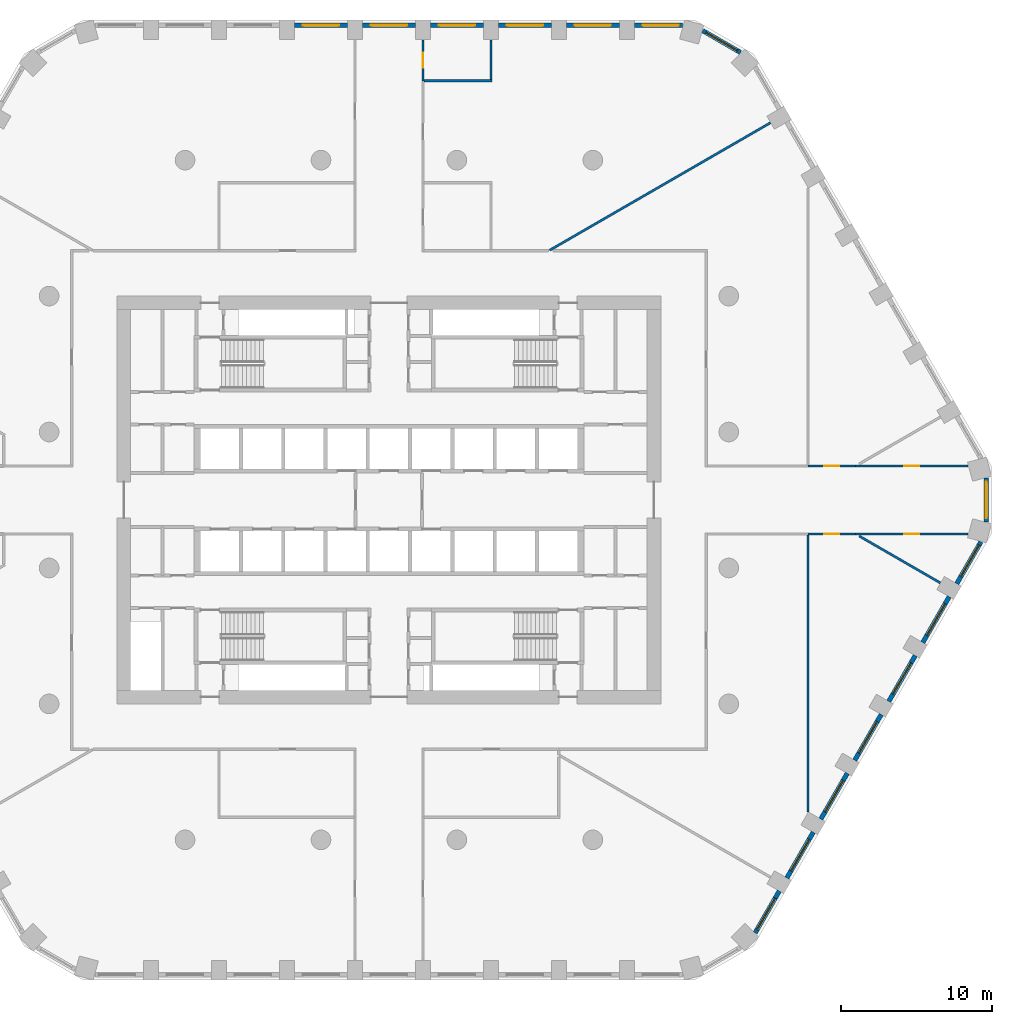
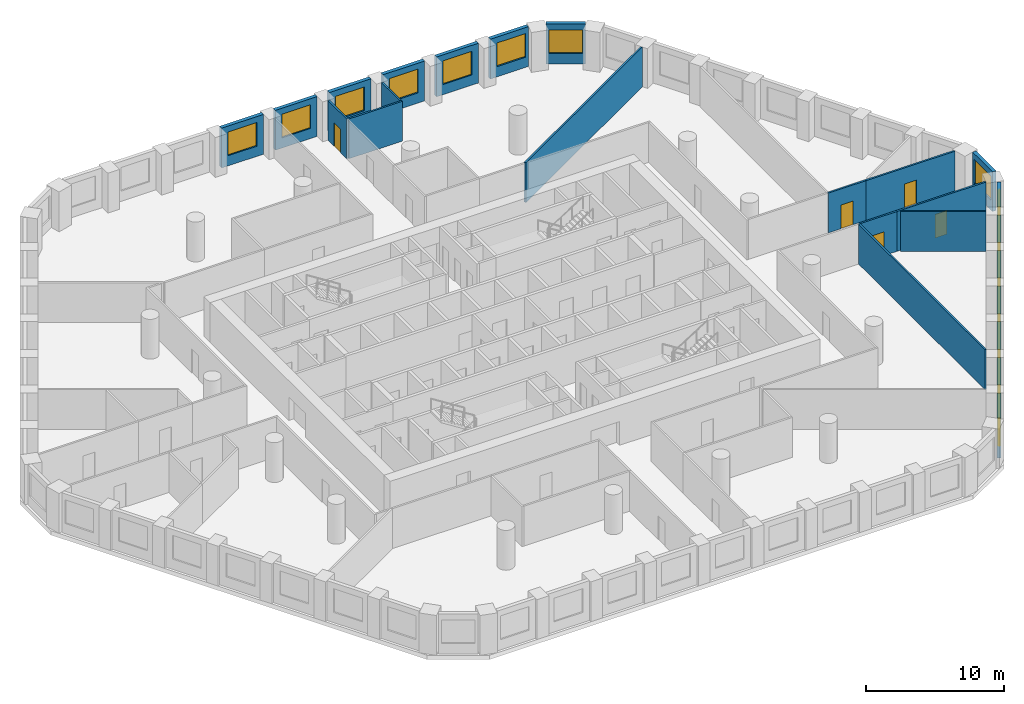
# One storey, part 8 of 10: 25 walls, 15 windows, 5 doors, 20 openings.
"""IFC4 building model written with IfcOpenShell, lengths in metres."""

from ifc_helpers import new_model, si_unit, direction, frame, frame_2d, origin, place, context, subcontext, project, spatial, rectangle, extrude, material, layer, layer_set, type_object, element, fill, save


model = new_model("IFC4")

# Units and contexts
model_context = context("Model", 3, precision=1e-05, world=origin(), true_north=direction((0.0, 1.0)))
body_context = subcontext(model_context, "Body", "Model", "MODEL_VIEW")
ifc_project = project(units=[si_unit("LENGTHUNIT", "METRE"), si_unit("AREAUNIT", "SQUARE_METRE"), si_unit("VOLUMEUNIT", "CUBIC_METRE"), si_unit("PLANEANGLEUNIT", "RADIAN"), si_unit("MASSUNIT", "GRAM", prefix="KILO")], contexts=[model_context])

# Site, building, storey
site_placement = place(None, origin())
site = spatial("IfcSite", under=ifc_project, at=site_placement, CompositionType="ELEMENT")
building_placement = place(site_placement, origin())
building = spatial("IfcBuilding", under=site, at=building_placement, Name="Dhurran Vertical Campus", CompositionType="ELEMENT")
storey_placement = place(building_placement, frame((0.0, 0.0, 112.5)))
storey = spatial("IfcBuildingStorey", under=building, at=storey_placement, Name="L27", CompositionType="ELEMENT", Elevation=112.5)

# Wall, opening, window
ifc_material_1 = material(Name="Precast concrete C50/60", Category="concrete")
ifc_layer_1 = layer(ifc_material_1, 0.300048828125)
ifc_layer_set_1 = layer_set([ifc_layer_1], Name="Precast concrete C50/60")
wall_type_1 = type_object("IfcWallType", Name="Precast spandrel wall 300", PredefinedType="SOLIDWALL", material=ifc_layer_set_1)
wall_1_placement = place(storey_placement, frame((24.24755859375, -28.65576171875, 0.0), z_axis=(0.0, 0.0, 1.0), x_axis=(0.500004907028, 0.866022570692, 0.0)))
wall_1 = element("IfcWall", 1, at=wall_1_placement, inside=storey, type_object=wall_type_1, Name="EW1 L27.10", PredefinedType="SOLIDWALL", context=body_context, shape_type="SweptSolid", body=[
    extrude(rectangle(XDim=3.1923828125, YDim=0.300048828125, at=frame_2d((1.59619140625, 0.0))), origin(), (0.0, 0.0, 1.0), 3.52490234375),
])
opening_1_placement = place(wall_1_placement, frame((0.242919921875, 0.0, 0.89990234375)))
opening_1 = element("IfcOpeningElement", 2, at=opening_1_placement, cuts=wall_1, Name="Opening WT1", PredefinedType="OPENING", context=body_context, shape_type="SweptSolid", body=[
    extrude(rectangle(XDim=2.39990234375, YDim=2.10009765625, at=frame_2d((1.199951171875, 1.050048828125))), frame((0.0, 0.159912109375, 0.0), z_axis=(0.0, -1.0, 0.0), x_axis=(1.0, 0.0, 0.0)), (0.0, 0.0, 1.0), 0.320068359375),
])
ifc_material_2 = material(Name="Aluminium frame with solar-control glass", Category="aluminium")
window_type = type_object("IfcWindowType", Name="Punched window 2400 x 2100", PartitioningType="SINGLE_PANEL", PredefinedType="WINDOW", material=ifc_material_2)
window_1_placement = place(opening_1_placement, origin())
window_1 = element("IfcWindow", 3, at=window_1_placement, inside=storey, type_object=window_type, Name="WT1 L27.10", OverallHeight=2.10009765625, OverallWidth=2.39990234375, PartitioningType="SINGLE_PANEL", PredefinedType="WINDOW", context=body_context, shape_type="SweptSolid", body=[
    extrude(rectangle(XDim=2.39990234375, YDim=2.10009765625, at=frame_2d((1.199951171875, 1.050048828125))), frame((0.0, 0.030029296875, 0.0), z_axis=(0.0, -1.0, 0.0), x_axis=(1.0, 0.0, 0.0)), (0.0, 0.0, 1.0), 0.06005859375),
])
fill(opening_1, window_1)

wall_2_placement = place(storey_placement, frame((26.34423828125, -25.024169921875, 0.0), z_axis=(0.0, 0.0, 1.0), x_axis=(0.499996256241, 0.866027565234, 0.0)))
wall_2 = element("IfcWall", 4, at=wall_2_placement, inside=storey, type_object=wall_type_1, Name="EW1 L27.11", PredefinedType="SOLIDWALL", context=body_context, shape_type="SweptSolid", body=[
    extrude(rectangle(XDim=3.4990234375, YDim=0.300048828125, at=frame_2d((1.74951171875, 0.0))), origin(), (0.0, 0.0, 1.0), 3.52490234375),
])
opening_2_placement = place(wall_2_placement, frame((0.549560546875, 0.0, 0.89990234375)))
opening_2 = element("IfcOpeningElement", 5, at=opening_2_placement, cuts=wall_2, Name="Opening WT1", PredefinedType="OPENING", context=body_context, shape_type="SweptSolid", body=[
    extrude(rectangle(XDim=2.39990234375, YDim=2.10009765625, at=frame_2d((1.199951171875, 1.050048828125))), frame((0.0, 0.159912109375, 0.0), z_axis=(0.0, -1.0, 0.0), x_axis=(1.0, 0.0, 0.0)), (0.0, 0.0, 1.0), 0.320068359375),
])
window_2_placement = place(opening_2_placement, origin())
window_2 = element("IfcWindow", 6, at=window_2_placement, inside=storey, type_object=window_type, Name="WT1 L27.11", OverallHeight=2.10009765625, OverallWidth=2.39990234375, PartitioningType="SINGLE_PANEL", PredefinedType="WINDOW", context=body_context, shape_type="SweptSolid", body=[
    extrude(rectangle(XDim=2.39990234375, YDim=2.10009765625, at=frame_2d((1.199951171875, 1.050048828125))), frame((0.0, 0.030029296875, 0.0), z_axis=(0.0, -1.0, 0.0), x_axis=(1.0, 0.0, 0.0)), (0.0, 0.0, 1.0), 0.06005859375),
])
fill(opening_2, window_2)

wall_3_placement = place(storey_placement, frame((28.59423828125, -21.127197265625, 0.0), z_axis=(0.0, 0.0, 1.0), x_axis=(0.499996256241, 0.866027565234, 0.0)))
wall_3 = element("IfcWall", 7, at=wall_3_placement, inside=storey, type_object=wall_type_1, Name="EW1 L27.12", PredefinedType="SOLIDWALL", context=body_context, shape_type="SweptSolid", body=[
    extrude(rectangle(XDim=3.4990234375, YDim=0.300048828125, at=frame_2d((1.74951171875, 0.0))), origin(), (0.0, 0.0, 1.0), 3.52490234375),
])
opening_3_placement = place(wall_3_placement, frame((0.549560546875, 0.0, 0.89990234375)))
opening_3 = element("IfcOpeningElement", 8, at=opening_3_placement, cuts=wall_3, Name="Opening WT1", PredefinedType="OPENING", context=body_context, shape_type="SweptSolid", body=[
    extrude(rectangle(XDim=2.39990234375, YDim=2.10009765625, at=frame_2d((1.199951171875, 1.050048828125))), frame((0.0, 0.159912109375, 0.0), z_axis=(0.0, -1.0, 0.0), x_axis=(1.0, 0.0, 0.0)), (0.0, 0.0, 1.0), 0.320068359375),
])
window_3_placement = place(opening_3_placement, origin())
window_3 = element("IfcWindow", 9, at=window_3_placement, inside=storey, type_object=window_type, Name="WT1 L27.12", OverallHeight=2.10009765625, OverallWidth=2.39990234375, PartitioningType="SINGLE_PANEL", PredefinedType="WINDOW", context=body_context, shape_type="SweptSolid", body=[
    extrude(rectangle(XDim=2.39990234375, YDim=2.10009765625, at=frame_2d((1.199951171875, 1.050048828125))), frame((0.0, 0.030029296875, 0.0), z_axis=(0.0, -1.0, 0.0), x_axis=(1.0, 0.0, 0.0)), (0.0, 0.0, 1.0), 0.06005859375),
])
fill(opening_3, window_3)

wall_4_placement = place(storey_placement, frame((30.84423828125, -17.22998046875, 0.0), z_axis=(0.0, 0.0, 1.0), x_axis=(0.499996256241, 0.866027565234, 0.0)))
wall_4 = element("IfcWall", 10, at=wall_4_placement, inside=storey, type_object=wall_type_1, Name="EW1 L27.13", PredefinedType="SOLIDWALL", context=body_context, shape_type="SweptSolid", body=[
    extrude(rectangle(XDim=3.4990234375, YDim=0.300048828125, at=frame_2d((1.74951171875, 0.0))), origin(), (0.0, 0.0, 1.0), 3.52490234375),
])
opening_4_placement = place(wall_4_placement, frame((0.549560546875, 0.0, 0.89990234375)))
opening_4 = element("IfcOpeningElement", 11, at=opening_4_placement, cuts=wall_4, Name="Opening WT1", PredefinedType="OPENING", context=body_context, shape_type="SweptSolid", body=[
    extrude(rectangle(XDim=2.39990234375, YDim=2.10009765625, at=frame_2d((1.199951171875, 1.050048828125))), frame((0.0, 0.159912109375, 0.0), z_axis=(0.0, -1.0, 0.0), x_axis=(1.0, 0.0, 0.0)), (0.0, 0.0, 1.0), 0.320068359375),
])
window_4_placement = place(opening_4_placement, origin())
window_4 = element("IfcWindow", 12, at=window_4_placement, inside=storey, type_object=window_type, Name="WT1 L27.13", OverallHeight=2.10009765625, OverallWidth=2.39990234375, PartitioningType="SINGLE_PANEL", PredefinedType="WINDOW", context=body_context, shape_type="SweptSolid", body=[
    extrude(rectangle(XDim=2.39990234375, YDim=2.10009765625, at=frame_2d((1.199951171875, 1.050048828125))), frame((0.0, 0.030029296875, 0.0), z_axis=(0.0, -1.0, 0.0), x_axis=(1.0, 0.0, 0.0)), (0.0, 0.0, 1.0), 0.06005859375),
])
fill(opening_4, window_4)

wall_5_placement = place(storey_placement, frame((33.09423828125, -13.3330078125, 0.0), z_axis=(0.0, 0.0, 1.0), x_axis=(0.499996256241, 0.866027565234, 0.0)))
wall_5 = element("IfcWall", 13, at=wall_5_placement, inside=storey, type_object=wall_type_1, Name="EW1 L27.14", PredefinedType="SOLIDWALL", context=body_context, shape_type="SweptSolid", body=[
    extrude(rectangle(XDim=3.4990234375, YDim=0.300048828125, at=frame_2d((1.74951171875, 0.0))), origin(), (0.0, 0.0, 1.0), 3.52490234375),
])
opening_5_placement = place(wall_5_placement, frame((0.549560546875, 0.0, 0.89990234375)))
opening_5 = element("IfcOpeningElement", 14, at=opening_5_placement, cuts=wall_5, Name="Opening WT1", PredefinedType="OPENING", context=body_context, shape_type="SweptSolid", body=[
    extrude(rectangle(XDim=2.39990234375, YDim=2.10009765625, at=frame_2d((1.199951171875, 1.050048828125))), frame((0.0, 0.159912109375, 0.0), z_axis=(0.0, -1.0, 0.0), x_axis=(1.0, 0.0, 0.0)), (0.0, 0.0, 1.0), 0.320068359375),
])
window_5_placement = place(opening_5_placement, origin())
window_5 = element("IfcWindow", 15, at=window_5_placement, inside=storey, type_object=window_type, Name="WT1 L27.14", OverallHeight=2.10009765625, OverallWidth=2.39990234375, PartitioningType="SINGLE_PANEL", PredefinedType="WINDOW", context=body_context, shape_type="SweptSolid", body=[
    extrude(rectangle(XDim=2.39990234375, YDim=2.10009765625, at=frame_2d((1.199951171875, 1.050048828125))), frame((0.0, 0.030029296875, 0.0), z_axis=(0.0, -1.0, 0.0), x_axis=(1.0, 0.0, 0.0)), (0.0, 0.0, 1.0), 0.06005859375),
])
fill(opening_5, window_5)

wall_6_placement = place(storey_placement, frame((35.34423828125, -9.435791015625, 0.0), z_axis=(0.0, 0.0, 1.0), x_axis=(0.499996256241, 0.866027565234, 0.0)))
wall_6 = element("IfcWall", 16, at=wall_6_placement, inside=storey, type_object=wall_type_1, Name="EW1 L27.15", PredefinedType="SOLIDWALL", context=body_context, shape_type="SweptSolid", body=[
    extrude(rectangle(XDim=3.4990234375, YDim=0.300048828125, at=frame_2d((1.74951171875, 0.0))), origin(), (0.0, 0.0, 1.0), 3.52490234375),
])
opening_6_placement = place(wall_6_placement, frame((0.549560546875, 0.0, 0.89990234375)))
opening_6 = element("IfcOpeningElement", 17, at=opening_6_placement, cuts=wall_6, Name="Opening WT1", PredefinedType="OPENING", context=body_context, shape_type="SweptSolid", body=[
    extrude(rectangle(XDim=2.39990234375, YDim=2.10009765625, at=frame_2d((1.199951171875, 1.050048828125))), frame((0.0, 0.159912109375, 0.0), z_axis=(0.0, -1.0, 0.0), x_axis=(1.0, 0.0, 0.0)), (0.0, 0.0, 1.0), 0.320068359375),
])
window_6_placement = place(opening_6_placement, origin())
window_6 = element("IfcWindow", 18, at=window_6_placement, inside=storey, type_object=window_type, Name="WT1 L27.15", OverallHeight=2.10009765625, OverallWidth=2.39990234375, PartitioningType="SINGLE_PANEL", PredefinedType="WINDOW", context=body_context, shape_type="SweptSolid", body=[
    extrude(rectangle(XDim=2.39990234375, YDim=2.10009765625, at=frame_2d((1.199951171875, 1.050048828125))), frame((0.0, 0.030029296875, 0.0), z_axis=(0.0, -1.0, 0.0), x_axis=(1.0, 0.0, 0.0)), (0.0, 0.0, 1.0), 0.06005859375),
])
fill(opening_6, window_6)

wall_7_placement = place(storey_placement, frame((37.59423828125, -5.538818359375, 0.0), z_axis=(0.0, 0.0, 1.0), x_axis=(0.500004907028, 0.866022570692, 0.0)))
wall_7 = element("IfcWall", 19, at=wall_7_placement, inside=storey, type_object=wall_type_1, Name="EW1 L27.16", PredefinedType="SOLIDWALL", context=body_context, shape_type="SweptSolid", body=[
    extrude(rectangle(XDim=3.1923828125, YDim=0.300048828125, at=frame_2d((1.59619140625, 0.0))), origin(), (0.0, 0.0, 1.0), 3.52490234375),
])
opening_7_placement = place(wall_7_placement, frame((0.549560546875, 0.0, 0.89990234375)))
opening_7 = element("IfcOpeningElement", 20, at=opening_7_placement, cuts=wall_7, Name="Opening WT1", PredefinedType="OPENING", context=body_context, shape_type="SweptSolid", body=[
    extrude(rectangle(XDim=2.39990234375, YDim=2.10009765625, at=frame_2d((1.199951171875, 1.050048828125))), frame((0.0, 0.159912109375, 0.0), z_axis=(0.0, -1.0, 0.0), x_axis=(1.0, 0.0, 0.0)), (0.0, 0.0, 1.0), 0.320068359375),
])
window_7_placement = place(opening_7_placement, origin())
window_7 = element("IfcWindow", 21, at=window_7_placement, inside=storey, type_object=window_type, Name="WT1 L27.16", OverallHeight=2.10009765625, OverallWidth=2.39990234375, PartitioningType="SINGLE_PANEL", PredefinedType="WINDOW", context=body_context, shape_type="SweptSolid", body=[
    extrude(rectangle(XDim=2.39990234375, YDim=2.10009765625, at=frame_2d((1.199951171875, 1.050048828125))), frame((0.0, 0.030029296875, 0.0), z_axis=(0.0, -1.0, 0.0), x_axis=(1.0, 0.0, 0.0)), (0.0, 0.0, 1.0), 0.06005859375),
])
fill(opening_7, window_7)

wall_8_placement = place(storey_placement, frame((39.547119140625, -1.44287109375, 0.0), z_axis=(0.0, 0.0, 1.0), x_axis=(0.0, 1.0, 0.0)))
wall_8 = element("IfcWall", 22, at=wall_8_placement, inside=storey, type_object=wall_type_1, Name="EW1 L27.17", PredefinedType="SOLIDWALL", context=body_context, shape_type="SweptSolid", body=[
    extrude(rectangle(XDim=2.8857421875, YDim=0.300048828125, at=frame_2d((1.44287109375, 0.0))), origin(), (0.0, 0.0, 1.0), 3.52490234375),
])
opening_8_placement = place(wall_8_placement, frame((0.242919921875, 0.0, 0.89990234375)))
opening_8 = element("IfcOpeningElement", 23, at=opening_8_placement, cuts=wall_8, Name="Opening WT1", PredefinedType="OPENING", context=body_context, shape_type="SweptSolid", body=[
    extrude(rectangle(XDim=2.39990234375, YDim=2.10009765625, at=frame_2d((1.199951171875, 1.050048828125))), frame((0.0, 0.159912109375, 0.0), z_axis=(0.0, -1.0, 0.0), x_axis=(1.0, 0.0, 0.0)), (0.0, 0.0, 1.0), 0.320068359375),
])
window_8_placement = place(opening_8_placement, origin())
window_8 = element("IfcWindow", 24, at=window_8_placement, inside=storey, type_object=window_type, Name="WT1 L27.17", OverallHeight=2.10009765625, OverallWidth=2.39990234375, PartitioningType="SINGLE_PANEL", PredefinedType="WINDOW", context=body_context, shape_type="SweptSolid", body=[
    extrude(rectangle(XDim=2.39990234375, YDim=2.10009765625, at=frame_2d((1.199951171875, 1.050048828125))), frame((0.0, 0.030029296875, 0.0), z_axis=(0.0, -1.0, 0.0), x_axis=(1.0, 0.0, 0.0)), (0.0, 0.0, 1.0), 0.06005859375),
])
fill(opening_8, window_8)

wall_9_placement = place(storey_placement, frame((23.273193359375, 29.63037109375, 0.0), z_axis=(0.0, 0.0, 1.0), x_axis=(-0.866053149362, 0.49995194017, 0.0)))
wall_9 = element("IfcWall", 25, at=wall_9_placement, inside=storey, type_object=wall_type_1, Name="EW1 L27.25", PredefinedType="SOLIDWALL", context=body_context, shape_type="SweptSolid", body=[
    extrude(rectangle(XDim=2.885498046875, YDim=0.300048828125, at=frame_2d((1.44287109375, 0.0))), origin(), (0.0, 0.0, 1.0), 3.52490234375),
])
opening_9_placement = place(wall_9_placement, frame((0.242919921875, 0.0, 0.89990234375)))
opening_9 = element("IfcOpeningElement", 26, at=opening_9_placement, cuts=wall_9, Name="Opening WT1", PredefinedType="OPENING", context=body_context, shape_type="SweptSolid", body=[
    extrude(rectangle(XDim=2.39990234375, YDim=2.10009765625, at=frame_2d((1.199951171875, 1.050048828125))), frame((0.0, 0.159912109375, 0.0), z_axis=(0.0, -1.0, 0.0), x_axis=(1.0, 0.0, 0.0)), (0.0, 0.0, 1.0), 0.320068359375),
])
window_9_placement = place(opening_9_placement, origin())
window_9 = element("IfcWindow", 27, at=window_9_placement, inside=storey, type_object=window_type, Name="WT1 L27.25", OverallHeight=2.10009765625, OverallWidth=2.39990234375, PartitioningType="SINGLE_PANEL", PredefinedType="WINDOW", context=body_context, shape_type="SweptSolid", body=[
    extrude(rectangle(XDim=2.39990234375, YDim=2.10009765625, at=frame_2d((1.199951171875, 1.050048828125))), frame((0.0, 0.030029296875, 0.0), z_axis=(0.0, -1.0, 0.0), x_axis=(1.0, 0.0, 0.0)), (0.0, 0.0, 1.0), 0.06005859375),
])
fill(opening_9, window_9)

wall_10_placement = place(storey_placement, frame((19.44287109375, 31.4296875, 0.0), z_axis=(0.0, 0.0, 1.0), x_axis=(-1.0, 0.0, 0.0)))
wall_10 = element("IfcWall", 28, at=wall_10_placement, inside=storey, type_object=wall_type_1, Name="EW1 L27.26", PredefinedType="SOLIDWALL", context=body_context, shape_type="SweptSolid", body=[
    extrude(rectangle(XDim=3.1923828125, YDim=0.300048828125, at=frame_2d((1.59619140625, 0.0))), origin(), (0.0, 0.0, 1.0), 3.52490234375),
])
opening_10_placement = place(wall_10_placement, frame((0.242919921875, 0.0, 0.89990234375)))
opening_10 = element("IfcOpeningElement", 29, at=opening_10_placement, cuts=wall_10, Name="Opening WT1", PredefinedType="OPENING", context=body_context, shape_type="SweptSolid", body=[
    extrude(rectangle(XDim=2.39990234375, YDim=2.10009765625, at=frame_2d((1.199951171875, 1.050048828125))), frame((0.0, 0.159912109375, 0.0), z_axis=(0.0, -1.0, 0.0), x_axis=(1.0, 0.0, 0.0)), (0.0, 0.0, 1.0), 0.320068359375),
])
window_10_placement = place(opening_10_placement, origin())
window_10 = element("IfcWindow", 30, at=window_10_placement, inside=storey, type_object=window_type, Name="WT1 L27.26", OverallHeight=2.10009765625, OverallWidth=2.39990234375, PartitioningType="SINGLE_PANEL", PredefinedType="WINDOW", context=body_context, shape_type="SweptSolid", body=[
    extrude(rectangle(XDim=2.39990234375, YDim=2.10009765625, at=frame_2d((1.199951171875, 1.050048828125))), frame((0.0, 0.030029296875, 0.0), z_axis=(0.0, -1.0, 0.0), x_axis=(1.0, 0.0, 0.0)), (0.0, 0.0, 1.0), 0.06005859375),
])
fill(opening_10, window_10)

wall_11_placement = place(storey_placement, frame((15.24951171875, 31.4296875, 0.0), z_axis=(0.0, 0.0, 1.0), x_axis=(-1.0, 0.0, 0.0)))
wall_11 = element("IfcWall", 31, at=wall_11_placement, inside=storey, type_object=wall_type_1, Name="EW1 L27.27", PredefinedType="SOLIDWALL", context=body_context, shape_type="SweptSolid", body=[
    extrude(rectangle(XDim=3.4990234375, YDim=0.300048828125, at=frame_2d((1.74951171875, 0.0))), origin(), (0.0, 0.0, 1.0), 3.52490234375),
])
opening_11_placement = place(wall_11_placement, frame((0.549560546875, 0.0, 0.89990234375)))
opening_11 = element("IfcOpeningElement", 32, at=opening_11_placement, cuts=wall_11, Name="Opening WT1", PredefinedType="OPENING", context=body_context, shape_type="SweptSolid", body=[
    extrude(rectangle(XDim=2.39990234375, YDim=2.10009765625, at=frame_2d((1.199951171875, 1.050048828125))), frame((0.0, 0.159912109375, 0.0), z_axis=(0.0, -1.0, 0.0), x_axis=(1.0, 0.0, 0.0)), (0.0, 0.0, 1.0), 0.320068359375),
])
window_11_placement = place(opening_11_placement, origin())
window_11 = element("IfcWindow", 33, at=window_11_placement, inside=storey, type_object=window_type, Name="WT1 L27.27", OverallHeight=2.10009765625, OverallWidth=2.39990234375, PartitioningType="SINGLE_PANEL", PredefinedType="WINDOW", context=body_context, shape_type="SweptSolid", body=[
    extrude(rectangle(XDim=2.39990234375, YDim=2.10009765625, at=frame_2d((1.199951171875, 1.050048828125))), frame((0.0, 0.030029296875, 0.0), z_axis=(0.0, -1.0, 0.0), x_axis=(1.0, 0.0, 0.0)), (0.0, 0.0, 1.0), 0.06005859375),
])
fill(opening_11, window_11)

wall_12_placement = place(storey_placement, frame((10.74951171875, 31.4296875, 0.0), z_axis=(0.0, 0.0, 1.0), x_axis=(-1.0, 0.0, 0.0)))
wall_12 = element("IfcWall", 34, at=wall_12_placement, inside=storey, type_object=wall_type_1, Name="EW1 L27.28", PredefinedType="SOLIDWALL", context=body_context, shape_type="SweptSolid", body=[
    extrude(rectangle(XDim=3.4990234375, YDim=0.300048828125, at=frame_2d((1.74951171875, 0.0))), origin(), (0.0, 0.0, 1.0), 3.52490234375),
])
opening_12_placement = place(wall_12_placement, frame((0.549560546875, 0.0, 0.89990234375)))
opening_12 = element("IfcOpeningElement", 35, at=opening_12_placement, cuts=wall_12, Name="Opening WT1", PredefinedType="OPENING", context=body_context, shape_type="SweptSolid", body=[
    extrude(rectangle(XDim=2.39990234375, YDim=2.10009765625, at=frame_2d((1.199951171875, 1.050048828125))), frame((0.0, 0.159912109375, 0.0), z_axis=(0.0, -1.0, 0.0), x_axis=(1.0, 0.0, 0.0)), (0.0, 0.0, 1.0), 0.320068359375),
])
window_12_placement = place(opening_12_placement, origin())
window_12 = element("IfcWindow", 36, at=window_12_placement, inside=storey, type_object=window_type, Name="WT1 L27.28", OverallHeight=2.10009765625, OverallWidth=2.39990234375, PartitioningType="SINGLE_PANEL", PredefinedType="WINDOW", context=body_context, shape_type="SweptSolid", body=[
    extrude(rectangle(XDim=2.39990234375, YDim=2.10009765625, at=frame_2d((1.199951171875, 1.050048828125))), frame((0.0, 0.030029296875, 0.0), z_axis=(0.0, -1.0, 0.0), x_axis=(1.0, 0.0, 0.0)), (0.0, 0.0, 1.0), 0.06005859375),
])
fill(opening_12, window_12)

wall_13_placement = place(storey_placement, frame((6.24951171875, 31.4296875, 0.0), z_axis=(0.0, 0.0, 1.0), x_axis=(-1.0, 0.0, 0.0)))
wall_13 = element("IfcWall", 37, at=wall_13_placement, inside=storey, type_object=wall_type_1, Name="EW1 L27.29", PredefinedType="SOLIDWALL", context=body_context, shape_type="SweptSolid", body=[
    extrude(rectangle(XDim=3.4990234375, YDim=0.300048828125, at=frame_2d((1.74951171875, 0.0))), origin(), (0.0, 0.0, 1.0), 3.52490234375),
])
opening_13_placement = place(wall_13_placement, frame((0.549560546875, 0.0, 0.89990234375)))
opening_13 = element("IfcOpeningElement", 38, at=opening_13_placement, cuts=wall_13, Name="Opening WT1", PredefinedType="OPENING", context=body_context, shape_type="SweptSolid", body=[
    extrude(rectangle(XDim=2.39990234375, YDim=2.10009765625, at=frame_2d((1.199951171875, 1.050048828125))), frame((0.0, 0.159912109375, 0.0), z_axis=(0.0, -1.0, 0.0), x_axis=(1.0, 0.0, 0.0)), (0.0, 0.0, 1.0), 0.320068359375),
])
window_13_placement = place(opening_13_placement, origin())
window_13 = element("IfcWindow", 39, at=window_13_placement, inside=storey, type_object=window_type, Name="WT1 L27.29", OverallHeight=2.10009765625, OverallWidth=2.39990234375, PartitioningType="SINGLE_PANEL", PredefinedType="WINDOW", context=body_context, shape_type="SweptSolid", body=[
    extrude(rectangle(XDim=2.39990234375, YDim=2.10009765625, at=frame_2d((1.199951171875, 1.050048828125))), frame((0.0, 0.030029296875, 0.0), z_axis=(0.0, -1.0, 0.0), x_axis=(1.0, 0.0, 0.0)), (0.0, 0.0, 1.0), 0.06005859375),
])
fill(opening_13, window_13)

wall_14_placement = place(storey_placement, frame((1.74951171875, 31.4296875, 0.0), z_axis=(0.0, 0.0, 1.0), x_axis=(-1.0, 0.0, 0.0)))
wall_14 = element("IfcWall", 40, at=wall_14_placement, inside=storey, type_object=wall_type_1, Name="EW1 L27.30", PredefinedType="SOLIDWALL", context=body_context, shape_type="SweptSolid", body=[
    extrude(rectangle(XDim=3.4990234375, YDim=0.300048828125, at=frame_2d((1.74951171875, 0.0))), origin(), (0.0, 0.0, 1.0), 3.52490234375),
])
opening_14_placement = place(wall_14_placement, frame((0.549560546875, 0.0, 0.89990234375)))
opening_14 = element("IfcOpeningElement", 41, at=opening_14_placement, cuts=wall_14, Name="Opening WT1", PredefinedType="OPENING", context=body_context, shape_type="SweptSolid", body=[
    extrude(rectangle(XDim=2.39990234375, YDim=2.10009765625, at=frame_2d((1.199951171875, 1.050048828125))), frame((0.0, 0.159912109375, 0.0), z_axis=(0.0, -1.0, 0.0), x_axis=(1.0, 0.0, 0.0)), (0.0, 0.0, 1.0), 0.320068359375),
])
window_14_placement = place(opening_14_placement, origin())
window_14 = element("IfcWindow", 42, at=window_14_placement, inside=storey, type_object=window_type, Name="WT1 L27.30", OverallHeight=2.10009765625, OverallWidth=2.39990234375, PartitioningType="SINGLE_PANEL", PredefinedType="WINDOW", context=body_context, shape_type="SweptSolid", body=[
    extrude(rectangle(XDim=2.39990234375, YDim=2.10009765625, at=frame_2d((1.199951171875, 1.050048828125))), frame((0.0, 0.030029296875, 0.0), z_axis=(0.0, -1.0, 0.0), x_axis=(1.0, 0.0, 0.0)), (0.0, 0.0, 1.0), 0.06005859375),
])
fill(opening_14, window_14)

wall_15_placement = place(storey_placement, frame((-2.75048828125, 31.4296875, 0.0), z_axis=(0.0, 0.0, 1.0), x_axis=(-1.0, 0.0, 0.0)))
wall_15 = element("IfcWall", 43, at=wall_15_placement, inside=storey, type_object=wall_type_1, Name="EW1 L27.31", PredefinedType="SOLIDWALL", context=body_context, shape_type="SweptSolid", body=[
    extrude(rectangle(XDim=3.4990234375, YDim=0.300048828125, at=frame_2d((1.74951171875, 0.0))), origin(), (0.0, 0.0, 1.0), 3.52490234375),
])
opening_15_placement = place(wall_15_placement, frame((0.549560546875, 0.0, 0.89990234375)))
opening_15 = element("IfcOpeningElement", 44, at=opening_15_placement, cuts=wall_15, Name="Opening WT1", PredefinedType="OPENING", context=body_context, shape_type="SweptSolid", body=[
    extrude(rectangle(XDim=2.39990234375, YDim=2.10009765625, at=frame_2d((1.199951171875, 1.050048828125))), frame((0.0, 0.159912109375, 0.0), z_axis=(0.0, -1.0, 0.0), x_axis=(1.0, 0.0, 0.0)), (0.0, 0.0, 1.0), 0.320068359375),
])
window_15_placement = place(opening_15_placement, origin())
window_15 = element("IfcWindow", 45, at=window_15_placement, inside=storey, type_object=window_type, Name="WT1 L27.31", OverallHeight=2.10009765625, OverallWidth=2.39990234375, PartitioningType="SINGLE_PANEL", PredefinedType="WINDOW", context=body_context, shape_type="SweptSolid", body=[
    extrude(rectangle(XDim=2.39990234375, YDim=2.10009765625, at=frame_2d((1.199951171875, 1.050048828125))), frame((0.0, 0.030029296875, 0.0), z_axis=(0.0, -1.0, 0.0), x_axis=(1.0, 0.0, 0.0)), (0.0, 0.0, 1.0), 0.06005859375),
])
fill(opening_15, window_15)

# Wall, opening, door
ifc_material_3 = material(Name="Gypsum board corridor wall on steel studs", Category="steel")
ifc_layer_2 = layer(ifc_material_3, 0.14990234375)
ifc_layer_set_2 = layer_set([ifc_layer_2], Name="Gypsum board corridor wall on steel studs")
wall_type_2 = type_object("IfcWallType", Name="fl-CW-150 corridor wall", PredefinedType="PARTITIONING", material=ifc_layer_set_2)
wall_16_placement = place(storey_placement, frame((2.25, 30.459716796875, 0.0), z_axis=(0.0, 0.0, 1.0), x_axis=(0.0, -1.0, 0.0)))
wall_16 = element("IfcWall", 46, at=wall_16_placement, inside=storey, type_object=wall_type_2, Name="Partition 27-41", PredefinedType="PARTITIONING", context=body_context, shape_type="SweptSolid", body=[
    extrude(rectangle(XDim=2.709716796875, YDim=0.14990234375, at=frame_2d((1.35498046875, 0.0))), origin(), (0.0, 0.0, 1.0), 3.52490234375),
])
opening_16_placement = place(wall_16_placement, frame((0.85498046875, 0.0, 0.0)))
opening_16 = element("IfcOpeningElement", 47, at=opening_16_placement, cuts=wall_16, Name="Opening T07.12", PredefinedType="OPENING", context=body_context, shape_type="SweptSolid", body=[
    extrude(rectangle(XDim=1.0, YDim=2.10009765625, at=frame_2d((0.5, 1.050048828125))), frame((0.0, 0.0849609375, 0.0), z_axis=(0.0, -1.0, 0.0), x_axis=(1.0, 0.0, 0.0)), (0.0, 0.0, 1.0), 0.169921875),
])
ifc_material_4 = material(Name="Solid-core timber door set, fire-rated", Category="wood")
door_type = type_object("IfcDoorType", Name="fl-D-1000x2100", OperationType="SINGLE_SWING_LEFT", PredefinedType="DOOR", material=ifc_material_4)
door_1_placement = place(opening_16_placement, origin())
door_1 = element("IfcDoor", 48, at=door_1_placement, inside=storey, type_object=door_type, Name="Door 27.12", OperationType="SINGLE_SWING_LEFT", OverallHeight=2.10009765625, OverallWidth=1.0, PredefinedType="DOOR", context=body_context, shape_type="SweptSolid", body=[
    extrude(rectangle(XDim=1.0, YDim=2.10009765625, at=frame_2d((0.5, 1.050048828125))), frame((0.0, 0.02490234375, 0.0), z_axis=(0.0, -1.0, 0.0), x_axis=(1.0, 0.0, 0.0)), (0.0, 0.0, 1.0), 0.050048828125),
])
fill(opening_16, door_1)

wall_17_placement = place(storey_placement, frame((30.89697265625, -2.25, 0.0), z_axis=(0.0, 0.0, 1.0), x_axis=(-1.0, 0.0, 0.0)))
wall_17 = element("IfcWall", 49, at=wall_17_placement, inside=storey, type_object=wall_type_2, Name="Partition 27-57", PredefinedType="PARTITIONING", context=body_context, shape_type="SweptSolid", body=[
    extrude(rectangle(XDim=3.14697265625, YDim=0.14990234375, at=frame_2d((1.573486328125, 0.0))), origin(), (0.0, 0.0, 1.0), 3.52490234375),
])
opening_17_placement = place(wall_17_placement, frame((1.073486328125, 0.0, 0.0)))
opening_17 = element("IfcOpeningElement", 50, at=opening_17_placement, cuts=wall_17, Name="Opening T07.18", PredefinedType="OPENING", context=body_context, shape_type="SweptSolid", body=[
    extrude(rectangle(XDim=1.0, YDim=2.10009765625, at=frame_2d((0.5, 1.050048828125))), frame((0.0, 0.0849609375, 0.0), z_axis=(0.0, -1.0, 0.0), x_axis=(1.0, 0.0, 0.0)), (0.0, 0.0, 1.0), 0.169921875),
])
door_2_placement = place(opening_17_placement, origin())
door_2 = element("IfcDoor", 51, at=door_2_placement, inside=storey, type_object=door_type, Name="Door 27.18", OperationType="SINGLE_SWING_RIGHT", OverallHeight=2.10009765625, OverallWidth=1.0, PredefinedType="DOOR", context=body_context, shape_type="SweptSolid", body=[
    extrude(rectangle(XDim=1.0, YDim=2.10009765625, at=frame_2d((0.5, 1.050048828125))), frame((0.0, 0.02490234375, 0.0), z_axis=(0.0, -1.0, 0.0), x_axis=(1.0, 0.0, 0.0)), (0.0, 0.0, 1.0), 0.050048828125),
])
fill(opening_17, door_2)

wall_18_placement = place(storey_placement, frame((27.75, 2.25, 0.0), z_axis=(0.0, 0.0, 1.0), x_axis=(1.0, 0.0, 0.0)))
wall_18 = element("IfcWall", 52, at=wall_18_placement, inside=storey, type_object=wall_type_2, Name="Partition 27-59", PredefinedType="PARTITIONING", context=body_context, shape_type="SweptSolid", body=[
    extrude(rectangle(XDim=3.14697265625, YDim=0.14990234375, at=frame_2d((1.573486328125, 0.0))), origin(), (0.0, 0.0, 1.0), 3.52490234375),
])
opening_18_placement = place(wall_18_placement, frame((1.073486328125, 0.0, 0.0)))
opening_18 = element("IfcOpeningElement", 53, at=opening_18_placement, cuts=wall_18, Name="Opening T07.19", PredefinedType="OPENING", context=body_context, shape_type="SweptSolid", body=[
    extrude(rectangle(XDim=1.0, YDim=2.10009765625, at=frame_2d((0.5, 1.050048828125))), frame((0.0, 0.0849609375, 0.0), z_axis=(0.0, -1.0, 0.0), x_axis=(1.0, 0.0, 0.0)), (0.0, 0.0, 1.0), 0.169921875),
])
door_3_placement = place(opening_18_placement, origin())
door_3 = element("IfcDoor", 54, at=door_3_placement, inside=storey, type_object=door_type, Name="Door 27.19", OperationType="SINGLE_SWING_LEFT", OverallHeight=2.10009765625, OverallWidth=1.0, PredefinedType="DOOR", context=body_context, shape_type="SweptSolid", body=[
    extrude(rectangle(XDim=1.0, YDim=2.10009765625, at=frame_2d((0.5, 1.050048828125))), frame((0.0, 0.02490234375, 0.0), z_axis=(0.0, -1.0, 0.0), x_axis=(1.0, 0.0, 0.0)), (0.0, 0.0, 1.0), 0.050048828125),
])
fill(opening_18, door_3)

wall_19_placement = place(storey_placement, frame((38.35009765625, -2.25, 0.0), z_axis=(0.0, 0.0, 1.0), x_axis=(-1.0, 0.0, 0.0)))
wall_19 = element("IfcWall", 55, at=wall_19_placement, inside=storey, type_object=wall_type_2, Name="Partition 27-61", PredefinedType="PARTITIONING", context=body_context, shape_type="SweptSolid", body=[
    extrude(rectangle(XDim=7.453125, YDim=0.14990234375, at=frame_2d((3.7265625, 0.0))), origin(), (0.0, 0.0, 1.0), 3.52490234375),
])
opening_19_placement = place(wall_19_placement, frame((3.2265625, 0.0, 0.0)))
opening_19 = element("IfcOpeningElement", 56, at=opening_19_placement, cuts=wall_19, Name="Opening T07.20", PredefinedType="OPENING", context=body_context, shape_type="SweptSolid", body=[
    extrude(rectangle(XDim=1.0, YDim=2.10009765625, at=frame_2d((0.5, 1.050048828125))), frame((0.0, 0.0849609375, 0.0), z_axis=(0.0, -1.0, 0.0), x_axis=(1.0, 0.0, 0.0)), (0.0, 0.0, 1.0), 0.169921875),
])
door_4_placement = place(opening_19_placement, origin())
door_4 = element("IfcDoor", 57, at=door_4_placement, inside=storey, type_object=door_type, Name="Door 27.20", OperationType="SINGLE_SWING_RIGHT", OverallHeight=2.10009765625, OverallWidth=1.0, PredefinedType="DOOR", context=body_context, shape_type="SweptSolid", body=[
    extrude(rectangle(XDim=1.0, YDim=2.10009765625, at=frame_2d((0.5, 1.050048828125))), frame((0.0, 0.02490234375, 0.0), z_axis=(0.0, -1.0, 0.0), x_axis=(1.0, 0.0, 0.0)), (0.0, 0.0, 1.0), 0.050048828125),
])
fill(opening_19, door_4)

wall_20_placement = place(storey_placement, frame((30.89697265625, 2.25, 0.0), z_axis=(0.0, 0.0, 1.0), x_axis=(1.0, 0.0, 0.0)))
wall_20 = element("IfcWall", 58, at=wall_20_placement, inside=storey, type_object=wall_type_2, Name="Partition 27-63", PredefinedType="PARTITIONING", context=body_context, shape_type="SweptSolid", body=[
    extrude(rectangle(XDim=7.453125, YDim=0.14990234375, at=frame_2d((3.7265625, 0.0))), origin(), (0.0, 0.0, 1.0), 3.52490234375),
])
opening_20_placement = place(wall_20_placement, frame((3.2265625, 0.0, 0.0)))
opening_20 = element("IfcOpeningElement", 59, at=opening_20_placement, cuts=wall_20, Name="Opening T07.21", PredefinedType="OPENING", context=body_context, shape_type="SweptSolid", body=[
    extrude(rectangle(XDim=1.0, YDim=2.10009765625, at=frame_2d((0.5, 1.050048828125))), frame((0.0, 0.0849609375, 0.0), z_axis=(0.0, -1.0, 0.0), x_axis=(1.0, 0.0, 0.0)), (0.0, 0.0, 1.0), 0.169921875),
])
door_5_placement = place(opening_20_placement, origin())
door_5 = element("IfcDoor", 60, at=door_5_placement, inside=storey, type_object=door_type, Name="Door 27.21", OperationType="SINGLE_SWING_RIGHT", OverallHeight=2.10009765625, OverallWidth=1.0, PredefinedType="DOOR", context=body_context, shape_type="SweptSolid", body=[
    extrude(rectangle(XDim=1.0, YDim=2.10009765625, at=frame_2d((0.5, 1.050048828125))), frame((0.0, 0.02490234375, 0.0), z_axis=(0.0, -1.0, 0.0), x_axis=(1.0, 0.0, 0.0)), (0.0, 0.0, 1.0), 0.050048828125),
])
fill(opening_20, door_5)

# Walls
ifc_material_5 = material(Name="Gypsum board partition on steel studs", Category="steel")
ifc_layer_3 = layer(ifc_material_5, 0.14990234375)
ifc_layer_set_3 = layer_set([ifc_layer_3], Name="Gypsum board partition on steel studs")
wall_type_3 = type_object("IfcWallType", Name="fl-PW-150 fixed partition", PredefinedType="PARTITIONING", material=ifc_layer_set_3)
wall_21_placement = place(storey_placement, frame((6.824951171875, 27.75, 0.0), z_axis=(0.0, 0.0, 1.0), x_axis=(-1.0, 0.0, 0.0)))
element("IfcWall", 61, at=wall_21_placement, inside=storey, type_object=wall_type_3, Name="Partition 27-42", PredefinedType="PARTITIONING", context=body_context, shape_type="SweptSolid", body=[
    extrude(rectangle(XDim=4.5, YDim=0.14990234375, at=frame_2d((2.25, 0.0))), origin(), (0.0, 0.0, 1.0), 3.52490234375),
])
wall_22_placement = place(storey_placement, frame((6.75, 30.459716796875, 0.0), z_axis=(0.0, 0.0, 1.0), x_axis=(0.0, -1.0, 0.0)))
element("IfcWall", 62, at=wall_22_placement, inside=storey, type_object=wall_type_3, Name="Partition 27-45", PredefinedType="PARTITIONING", context=body_context, shape_type="SweptSolid", body=[
    extrude(rectangle(XDim=2.634765625, YDim=0.14990234375, at=frame_2d((1.3173828125, 0.0))), origin(), (0.0, 0.0, 1.0), 3.52490234375),
])
wall_23_placement = place(storey_placement, frame((25.25390625, 24.972900390625, 0.0), z_axis=(0.0, 0.0, 1.0), x_axis=(-0.866017851419, -0.500013080853, 0.0)))
element("IfcWall", 63, at=wall_23_placement, inside=storey, type_object=wall_type_3, Name="Partition 27-47", PredefinedType="PARTITIONING", context=body_context, shape_type="SweptSolid", body=[
    extrude(rectangle(XDim=16.8701171875, YDim=0.14990234375, at=frame_2d((8.43505859375, 0.0))), origin(), (0.0, 0.0, 1.0), 3.52490234375),
])
wall_24_placement = place(storey_placement, frame((27.75, -2.324951171875, 0.0), z_axis=(0.0, 0.0, 1.0), x_axis=(0.0, -1.0, 0.0)))
element("IfcWall", 64, at=wall_24_placement, inside=storey, type_object=wall_type_3, Name="Partition 27-56", PredefinedType="PARTITIONING", context=body_context, shape_type="SweptSolid", body=[
    extrude(rectangle(XDim=18.324462890625, YDim=0.14990234375, at=frame_2d((9.162109375, 0.0))), origin(), (0.0, 0.0, 1.0), 3.52490234375),
])
wall_25_placement = place(storey_placement, frame((31.13525390625, -2.387451171875, 0.0), z_axis=(0.0, 0.0, 1.0), x_axis=(0.866007197923, -0.500031532152, 0.0)))
element("IfcWall", 65, at=wall_25_placement, inside=storey, type_object=wall_type_3, Name="Partition 27-60", PredefinedType="PARTITIONING", context=body_context, shape_type="SweptSolid", body=[
    extrude(rectangle(XDim=6.19921875, YDim=0.14990234375, at=frame_2d((3.099609375, 0.0))), origin(), (0.0, 0.0, 1.0), 3.52490234375),
])

save(model, "model.ifc")
